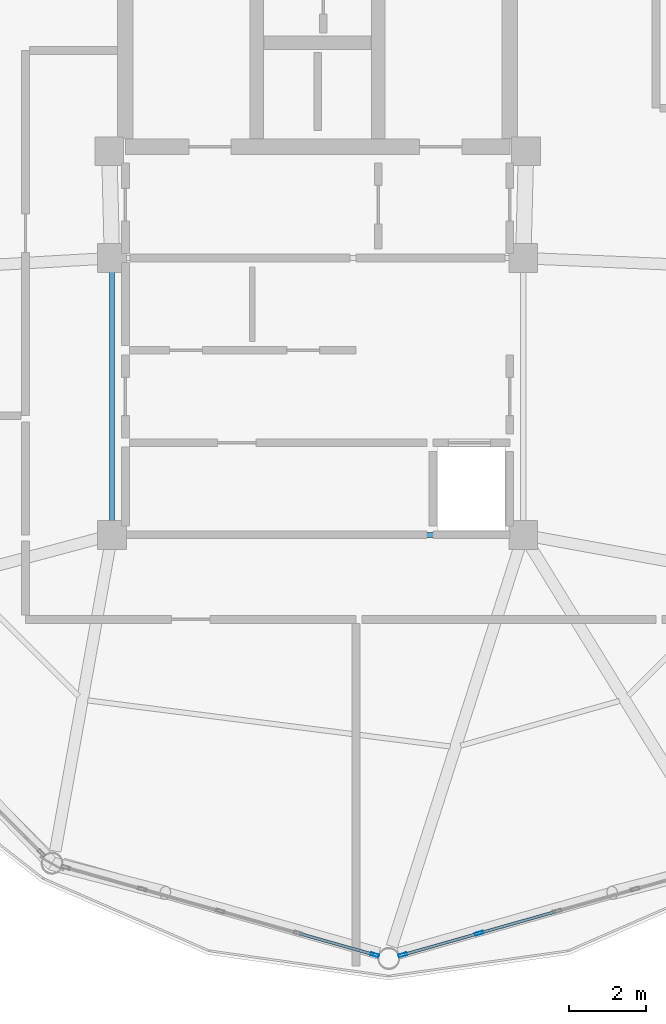
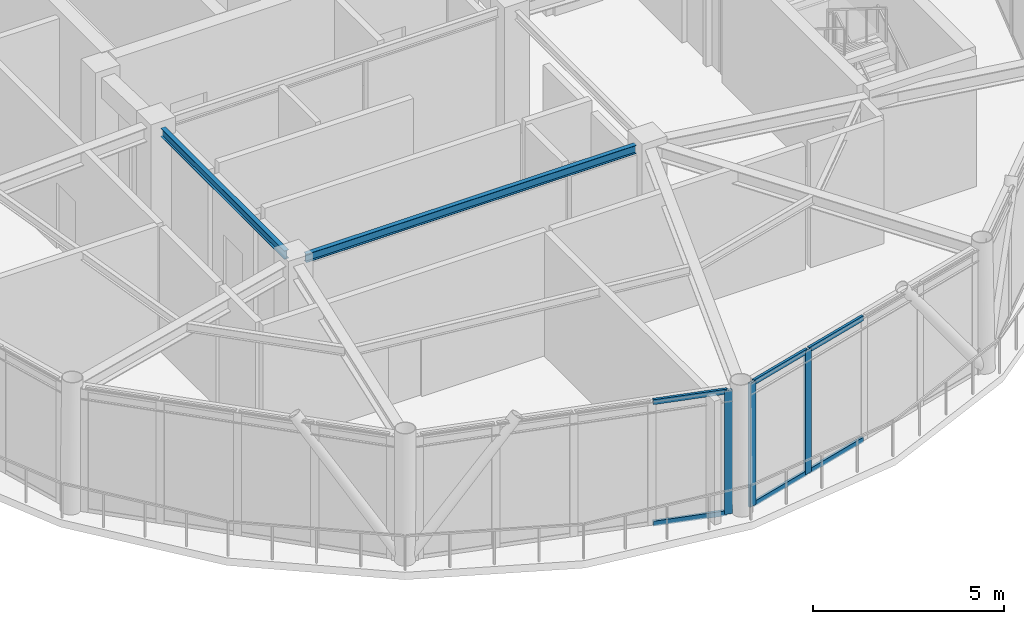
# One storey, part 5 of 21: 9 members, 2 beams, 2 elements without a shape of their own.
"""IFC4 building model written with IfcOpenShell, lengths in metres."""

import ifcopenshell
import ifcopenshell.guid

model = None  # the IFC model being written
_history = None  # IfcOwnerHistory: only IFC2X3 demands one
_inside = {}  # id of a spatial element -> (the spatial element, [elements in it])
_under = {}  # id of a project, library or spatial element -> (it, [spatial elements below it])
_declared = {}  # id of a project -> (the project, [libraries it declares])
_typed = {}  # id of a type object -> (the type object, [elements of that type])
_made_of = {}  # id of a material, layer set ... -> (it, [elements and type objects made of it])


def new_model(schema):
    """Start an empty IFC model of exactly this schema.

    Asked for "IFC4X3", IfcOpenShell would pick the latest addendum, in which some entities
    have other attributes; the version numbers below select the first issue.
    IFC2X3 requires an IfcOwnerHistory on every rooted entity: one is made here for all.
    """
    global model, _history
    if schema == "IFC4X3":
        model = ifcopenshell.file(schema_version=(4, 3, 0, 0))
    else:
        model = ifcopenshell.file(schema=schema)
    _inside.clear()
    _under.clear()
    _declared.clear()
    _typed.clear()
    _made_of.clear()
    _history = None
    if model.schema == "IFC2X3":
        org = make("IfcOrganization", Name="unknown")
        user = make(
            "IfcPersonAndOrganization",
            ThePerson=make("IfcPerson", FamilyName="unknown"),
            TheOrganization=org,
        )
        app = make(
            "IfcApplication",
            ApplicationDeveloper=org,
            Version="unknown",
            ApplicationFullName="unknown",
            ApplicationIdentifier="unknown",
        )
        _history = make(
            "IfcOwnerHistory",
            OwningUser=user,
            OwningApplication=app,
            ChangeAction="ADDED",
            CreationDate=0,
        )
    return model


def make(cls, **values):
    """One entity of the class cls with the attributes given. An attribute that is None is left unset."""
    return model.create_entity(
        cls, **{name: value for name, value in values.items() if value is not None}
    )


def rooted(cls, **values):
    """An entity with a GlobalId (a new one), such as an element, a storey or a relation."""
    return make(cls, GlobalId=ifcopenshell.guid.new(), OwnerHistory=_history, **values)


def si_unit(unit_type, name, prefix=None):
    """IfcSIUnit, for example si_unit("LENGTHUNIT", "METRE", prefix="MILLI")."""
    return make("IfcSIUnit", UnitType=unit_type, Prefix=prefix, Name=name)


def assignment(units):
    """IfcUnitAssignment: the units of a project."""
    return None if units is None else make("IfcUnitAssignment", Units=units)


def point(xyz):
    """IfcCartesianPoint."""
    return None if xyz is None else make("IfcCartesianPoint", Coordinates=xyz)


def direction(xyz):
    """IfcDirection."""
    return None if xyz is None else make("IfcDirection", DirectionRatios=xyz)


def frame(location, z_axis=None, x_axis=None):
    """IfcAxis2Placement3D, a coordinate frame: its origin and axes. An axis left out is left unset."""
    return make(
        "IfcAxis2Placement3D",
        Location=point(location),
        Axis=direction(z_axis),
        RefDirection=direction(x_axis),
    )


def frame_2d(location, x_axis=None):
    """IfcAxis2Placement2D, a coordinate frame in the plane: its origin and x axis."""
    return make(
        "IfcAxis2Placement2D", Location=point(location), RefDirection=direction(x_axis)
    )


def origin():
    """The frame at (0, 0, 0) with its axes left unset."""
    return frame((0.0, 0.0, 0.0))


def origin_2d():
    """The frame at (0, 0) in the plane with its x axis left unset."""
    return frame_2d((0.0, 0.0))


def place(relative_to, where):
    """IfcLocalPlacement: puts the frame where relative to a parent placement (None: the world)."""
    return make(
        "IfcLocalPlacement", PlacementRelTo=relative_to, RelativePlacement=where
    )


def context(
    kind, dimensions, precision=None, world=None, true_north=None, identifier=None
):
    """IfcGeometricRepresentationContext, for example the 3D "Model" context."""
    return make(
        "IfcGeometricRepresentationContext",
        ContextIdentifier=identifier,
        ContextType=kind,
        CoordinateSpaceDimension=dimensions,
        Precision=precision,
        WorldCoordinateSystem=world,
        TrueNorth=true_north,
    )


def subcontext(parent, identifier, kind, view, scale=None):
    """IfcGeometricRepresentationSubContext, for example "Body" below "Model"."""
    return make(
        "IfcGeometricRepresentationSubContext",
        ContextIdentifier=identifier,
        ContextType=kind,
        ParentContext=parent,
        TargetScale=scale,
        TargetView=view,
    )


def project(units=None, contexts=None):
    """IfcProject with its units and contexts."""
    return rooted(
        "IfcProject",
        Name="project",
        RepresentationContexts=contexts,
        UnitsInContext=assignment(units),
    )


def spatial(cls, under=None, at=None, **own):
    """A site, building, storey or space (cls), placed at a placement, below another one or the project."""
    s = rooted(cls, ObjectPlacement=at, **own)
    if under is not None:
        _under.setdefault(under.id(), (under, []))[1].append(s)
    return s


def profile(cls, at=None, kind="AREA", **sizes):
    """A parametric profile (cls). Its sizes go by their IFC names, for example OverallWidth=200.0."""
    return make(cls, ProfileType=kind, Position=at, **sizes)


def hollow_rectangle(**sizes):
    """IfcRectangleHollowProfileDef."""
    return profile("IfcRectangleHollowProfileDef", **sizes)


def i_section(**sizes):
    """IfcIShapeProfileDef."""
    return profile("IfcIShapeProfileDef", **sizes)


def extrude(swept, where, along, depth):
    """IfcExtrudedAreaSolid: the profile swept, set in the frame where, extruded along a direction by depth."""
    return make(
        "IfcExtrudedAreaSolid",
        SweptArea=swept,
        Position=where,
        ExtrudedDirection=direction(along),
        Depth=depth,
    )


def shape(context_of_items, identifier, shape_type, items):
    """IfcShapeRepresentation: the items that make up one representation, for example the "Body"."""
    return make(
        "IfcShapeRepresentation",
        ContextOfItems=context_of_items,
        RepresentationIdentifier=identifier,
        RepresentationType=shape_type,
        Items=items,
    )


def material(Name=None, Category=None):
    """IfcMaterial."""
    return make("IfcMaterial", Name=Name, Category=Category)


def layer(
    of_material, thickness, ventilated=None, Name=None, Category=None, Priority=None
):
    """IfcMaterialLayer: one layer of a wall or slab, of a material (None: an air gap)."""
    return make(
        "IfcMaterialLayer",
        Material=of_material,
        LayerThickness=thickness,
        IsVentilated=ventilated,
        Name=Name,
        Category=Category,
        Priority=Priority,
    )


def layer_set(layers, Name=None):
    """IfcMaterialLayerSet."""
    return make("IfcMaterialLayerSet", MaterialLayers=layers, LayerSetName=Name)


def material_profile(
    of_material, cross_section, Name=None, Category=None, Priority=None
):
    """IfcMaterialProfile: a cross section and its material."""
    return make(
        "IfcMaterialProfile",
        Name=Name,
        Material=of_material,
        Profile=cross_section,
        Priority=Priority,
        Category=Category,
    )


def profile_set(profiles, Name=None, composite=None):
    """IfcMaterialProfileSet."""
    return make(
        "IfcMaterialProfileSet",
        Name=Name,
        MaterialProfiles=profiles,
        CompositeProfile=composite,
    )


def made_of(thing, what):
    """Note that an element or type object is made of a material, layer set ...; save() writes the relation."""
    if what is not None:
        _made_of.setdefault(what.id(), (what, []))[1].append(thing)
    return thing


def type_object(cls, material=None, **own):
    """A type object (cls), such as IfcWallType, which elements share."""
    return made_of(rooted(cls, **own), material)


def element(
    cls,
    number,
    at=None,
    inside=None,
    cuts=None,
    type_object=None,
    material=None,
    context=None,
    identifier="Body",
    shape_type=None,
    held_by="IfcProductDefinitionShape",
    body=None,
    shapes=None,
    **own,
):
    """One element of the class cls, such as IfcWall. Its Tag is "e" and its number.

    at: its placement. inside: the storey or other place that contains it. cuts: it is an
    opening in that element (IfcRelVoidsElement). A single representation is given by context,
    identifier, shape_type and body (its items); several are given by shapes. held_by: the class
    of the entity that holds the representations. save() writes the other relations.
    """
    e = rooted(cls, Tag="e%d" % number, ObjectPlacement=at, **own)
    if body is not None:
        shapes = [shape(context, identifier, shape_type, body)]
    if shapes is not None:
        e.Representation = make(held_by, Representations=shapes)
    if inside is not None:
        _inside.setdefault(inside.id(), (inside, []))[1].append(e)
    if cuts is not None:
        rooted(
            "IfcRelVoidsElement", RelatingBuildingElement=cuts, RelatedOpeningElement=e
        )
    if type_object is not None:
        _typed.setdefault(type_object.id(), (type_object, []))[1].append(e)
    return made_of(e, material)


def aggregate(whole, parts):
    """IfcRelAggregates: a whole, such as a stair, and the parts it consists of."""
    return rooted("IfcRelAggregates", RelatingObject=whole, RelatedObjects=parts)


def save(model, path):
    """Write the relations noted so far, then the file.

    IfcRelAggregates (storeys below a building ...), IfcRelContainedInSpatialStructure (elements
    in a storey), IfcRelDefinesByType, IfcRelAssociatesMaterial and IfcRelDeclares: one each for
    every whole, place, type object, material and project.
    """
    for whole, parts in _under.values():
        aggregate(whole, parts)
    for where, things in _inside.values():
        rooted(
            "IfcRelContainedInSpatialStructure",
            RelatedElements=things,
            RelatingStructure=where,
        )
    for kind, things in _typed.values():
        rooted("IfcRelDefinesByType", RelatedObjects=things, RelatingType=kind)
    for what, things in _made_of.values():
        rooted("IfcRelAssociatesMaterial", RelatedObjects=things, RelatingMaterial=what)
    for by, libraries in _declared.values():
        rooted("IfcRelDeclares", RelatingContext=by, RelatedDefinitions=libraries)
    model.write(path)


model = new_model("IFC4")

# Units and contexts
model_context = context("Model", 3, precision=1e-05, world=origin(), true_north=direction((0.0, 1.0)))
body_context = subcontext(model_context, "Body", "Model", "MODEL_VIEW")
ifc_project = project(units=[si_unit("LENGTHUNIT", "METRE"), si_unit("AREAUNIT", "SQUARE_METRE"), si_unit("VOLUMEUNIT", "CUBIC_METRE"), si_unit("PLANEANGLEUNIT", "RADIAN"), si_unit("MASSUNIT", "GRAM", prefix="KILO")], contexts=[model_context])

# Site, building, storey
site_placement = place(None, origin())
site = spatial("IfcSite", under=ifc_project, at=site_placement, CompositionType="ELEMENT")
building_placement = place(site_placement, origin())
building = spatial("IfcBuilding", under=site, at=building_placement, Name="Varnakorn Sky Granary", CompositionType="ELEMENT")
storey_placement = place(building_placement, frame((0.0, 0.0, 294.0)))
storey = spatial("IfcBuildingStorey", under=building, at=storey_placement, Name="L75", CompositionType="ELEMENT", Elevation=294.0)

# Beams
ifc_material_1 = material(Name="Steel S355JR", Category="steel")
ifc_material_profile_1 = material_profile(ifc_material_1, i_section(OverallWidth=0.135009765625, OverallDepth=0.27001953125, WebThickness=0.006591796875, FlangeThickness=0.01025390625, at=origin_2d()), Name="IPE 270")
ifc_profile_set_1 = profile_set([ifc_material_profile_1], Name="Steel S355JR")
beam_type = type_object("IfcBeamType", Name="BM-SEC-Z5", PredefinedType="BEAM", material=ifc_profile_set_1)
beam_1_placement = place(storey_placement, frame((-2.35009765625, 0.2451171875, 3.824951171875), z_axis=(0.0, -1.0, 0.0), x_axis=(1.0, 0.0, 0.0)))
element("IfcBeam", 1, at=beam_1_placement, inside=storey, type_object=beam_type, Name="Core Spine Framing Beam 3 L75", PredefinedType="BEAM", context=body_context, shape_type="SweptSolid", body=[
    extrude(i_section(OverallWidth=0.135009765625, OverallDepth=0.27001953125, WebThickness=0.006591796875, FlangeThickness=0.01025390625, at=origin_2d()), origin(), (0.0, 0.0, 1.0), 6.490234375),
])
beam_2_placement = place(storey_placement, frame((-1.9951171875, -6.60009765625, 3.824951171875), z_axis=(1.0, 0.0, 0.0), x_axis=(0.0, 1.0, 0.0)))
element("IfcBeam", 2, at=beam_2_placement, inside=storey, type_object=beam_type, Name="Core Spine Framing Beam 6 L75", PredefinedType="BEAM", context=body_context, shape_type="SweptSolid", body=[
    extrude(i_section(OverallWidth=0.135009765625, OverallDepth=0.27001953125, WebThickness=0.006591796875, FlangeThickness=0.01025390625, at=origin_2d()), origin(), (0.0, 0.0, 1.0), 9.990234375),
])

# Curtain wall, member
ifc_material_2 = material(Name="Anodised Bronze Aluminium Alloy 6063-T6", Category="aluminium")
ifc_layer = layer(ifc_material_2, 0.22998046875, Name="Anodised Bronze Aluminium Alloy 6063-T6")
ifc_layer_set = layer_set([ifc_layer], Name="Anodised Bronze Aluminium Alloy 6063-T6")
curtain_wall_type = type_object("IfcCurtainWallType", Name="CW-LNT-1", PredefinedType="USERDEFINED", material=ifc_layer_set)
curtain_wall_1_placement = place(storey_placement, origin())
curtain_wall_1 = element("IfcCurtainWall", 3, at=curtain_wall_1_placement, inside=storey, type_object=curtain_wall_type, Name="Unitised Curtain Wall CW7 CW-L75-B09", ObjectType="CURTAIN WALL", PredefinedType="USERDEFINED")
ifc_material_profile_2 = material_profile(ifc_material_2, hollow_rectangle(XDim=0.074951171875, YDim=0.219970703125, WallThickness=0.00390625, at=origin_2d()), Name="ALU MULL 75x220")
ifc_profile_set_2 = profile_set([ifc_material_profile_2], Name="Anodised Bronze Aluminium Alloy 6063-T6")
member_type_1 = type_object("IfcMemberType", Name="CW-LNT-1-MULL", PredefinedType="MULLION", material=ifc_profile_set_2)
member_1_placement = place(storey_placement, frame((4.4873046875, -17.5263671875, 0.0), z_axis=(0.0, 0.0, 1.0), x_axis=(-0.272147344542, -0.962255591233, 0.0)))
member_1 = element("IfcMember", 4, at=member_1_placement, type_object=member_type_1, Name="CW7 mullion 1", PredefinedType="MULLION", context=body_context, shape_type="SweptSolid", body=[
    extrude(hollow_rectangle(XDim=0.074951171875, YDim=0.219970703125, WallThickness=0.00390625, at=origin_2d()), origin(), (0.0, 0.0, 1.0), 3.9599609375),
])

# Curtain wall, members
curtain_wall_2_placement = place(storey_placement, origin())
curtain_wall_2 = element("IfcCurtainWall", 5, at=curtain_wall_2_placement, inside=storey, type_object=curtain_wall_type, Name="Unitised Curtain Wall CW7 CW-L75-B10", ObjectType="CURTAIN WALL", PredefinedType="USERDEFINED")
member_2_placement = place(storey_placement, frame((7.20458984375, -16.963134765625, 0.0), z_axis=(0.0, 0.0, 1.0), x_axis=(0.272147344542, -0.962255591233, 0.0)))
member_2 = element("IfcMember", 6, at=member_2_placement, type_object=member_type_1, Name="CW7 mullion 4", PredefinedType="MULLION", context=body_context, shape_type="SweptSolid", body=[
    extrude(hollow_rectangle(XDim=0.074951171875, YDim=0.219970703125, WallThickness=0.00390625, at=origin_2d()), origin(), (0.0, 0.0, 1.0), 3.9599609375),
])
member_3_placement = place(storey_placement, frame((5.212890625, -17.5263671875, 0.0), z_axis=(0.0, 0.0, 1.0), x_axis=(0.272147344542, -0.962255591233, 0.0)))
member_3 = element("IfcMember", 7, at=member_3_placement, type_object=member_type_1, Name="CW7 mullion 5", PredefinedType="MULLION", context=body_context, shape_type="SweptSolid", body=[
    extrude(hollow_rectangle(XDim=0.074951171875, YDim=0.219970703125, WallThickness=0.00390625, at=origin_2d()), origin(), (0.0, 0.0, 1.0), 3.9599609375),
])

# Member
ifc_material_profile_3 = material_profile(ifc_material_2, hollow_rectangle(XDim=0.074951171875, YDim=0.159912109375, WallThickness=0.00390625, at=origin_2d()), Name="ALU TRAN 75x160")
ifc_profile_set_3 = profile_set([ifc_material_profile_3], Name="Anodised Bronze Aluminium Alloy 6063-T6")
member_type_2 = type_object("IfcMemberType", Name="CW-LNT-1-TRAN", PredefinedType="USERDEFINED", material=ifc_profile_set_3)
member_4_placement = place(storey_placement, frame((4.451171875, -17.51611328125, 0.03759765625), z_axis=(-0.962282244177, 0.272053087728, 0.0), x_axis=(-0.272053087728, -0.962282244177, 0.0)))
member_4 = element("IfcMember", 8, at=member_4_placement, type_object=member_type_2, Name="CW7 transom 1.1", ObjectType="TRANSOM", PredefinedType="USERDEFINED", context=body_context, shape_type="SweptSolid", body=[
    extrude(hollow_rectangle(XDim=0.074951171875, YDim=0.159912109375, WallThickness=0.00390625, at=origin_2d()), origin(), (0.0, 0.0, 1.0), 1.994873046875),
])

member_5_placement = place(storey_placement, frame((4.451171875, -17.51611328125, 3.922607421875), z_axis=(-0.962282244177, 0.272053087728, 0.0), x_axis=(-0.272053087728, -0.962282244177, 0.0)))
member_5 = element("IfcMember", 9, at=member_5_placement, type_object=member_type_2, Name="CW7 transom 1.2", ObjectType="TRANSOM", PredefinedType="USERDEFINED", context=body_context, shape_type="SweptSolid", body=[
    extrude(hollow_rectangle(XDim=0.074951171875, YDim=0.159912109375, WallThickness=0.00390625, at=origin_2d()), origin(), (0.0, 0.0, 1.0), 1.994873046875),
])

aggregate(curtain_wall_1, [member_1, member_4, member_5])

member_6_placement = place(storey_placement, frame((9.196044921875, -16.39990234375, 0.03759765625), z_axis=(-0.962268383835, -0.272102108538, 0.0), x_axis=(0.272102108538, -0.962268383835, 0.0)))
member_6 = element("IfcMember", 10, at=member_6_placement, type_object=member_type_2, Name="CW7 transom 3.1", ObjectType="TRANSOM", PredefinedType="USERDEFINED", context=body_context, shape_type="SweptSolid", body=[
    extrude(hollow_rectangle(XDim=0.074951171875, YDim=0.159912109375, WallThickness=0.00390625, at=origin_2d()), origin(), (0.0, 0.0, 1.0), 2.0322265625),
])

member_7_placement = place(storey_placement, frame((9.196044921875, -16.39990234375, 3.922607421875), z_axis=(-0.962268383835, -0.272102108538, 0.0), x_axis=(0.272102108538, -0.962268383835, 0.0)))
member_7 = element("IfcMember", 11, at=member_7_placement, type_object=member_type_2, Name="CW7 transom 3.2", ObjectType="TRANSOM", PredefinedType="USERDEFINED", context=body_context, shape_type="SweptSolid", body=[
    extrude(hollow_rectangle(XDim=0.074951171875, YDim=0.159912109375, WallThickness=0.00390625, at=origin_2d()), origin(), (0.0, 0.0, 1.0), 2.0322265625),
])

member_8_placement = place(storey_placement, frame((7.16845703125, -16.973388671875, 0.03759765625), z_axis=(-0.962282244177, -0.272053087728, 0.0), x_axis=(0.272053087728, -0.962282244177, 0.0)))
member_8 = element("IfcMember", 12, at=member_8_placement, type_object=member_type_2, Name="CW7 transom 4.1", ObjectType="TRANSOM", PredefinedType="USERDEFINED", context=body_context, shape_type="SweptSolid", body=[
    extrude(hollow_rectangle(XDim=0.074951171875, YDim=0.159912109375, WallThickness=0.00390625, at=origin_2d()), origin(), (0.0, 0.0, 1.0), 1.994873046875),
])

member_9_placement = place(storey_placement, frame((7.16845703125, -16.973388671875, 3.922607421875), z_axis=(-0.962282244177, -0.272053087728, 0.0), x_axis=(0.272053087728, -0.962282244177, 0.0)))
member_9 = element("IfcMember", 13, at=member_9_placement, type_object=member_type_2, Name="CW7 transom 4.2", ObjectType="TRANSOM", PredefinedType="USERDEFINED", context=body_context, shape_type="SweptSolid", body=[
    extrude(hollow_rectangle(XDim=0.074951171875, YDim=0.159912109375, WallThickness=0.00390625, at=origin_2d()), origin(), (0.0, 0.0, 1.0), 1.994873046875),
])

aggregate(curtain_wall_2, [member_2, member_3, member_6, member_7, member_8, member_9])

save(model, "model.ifc")
